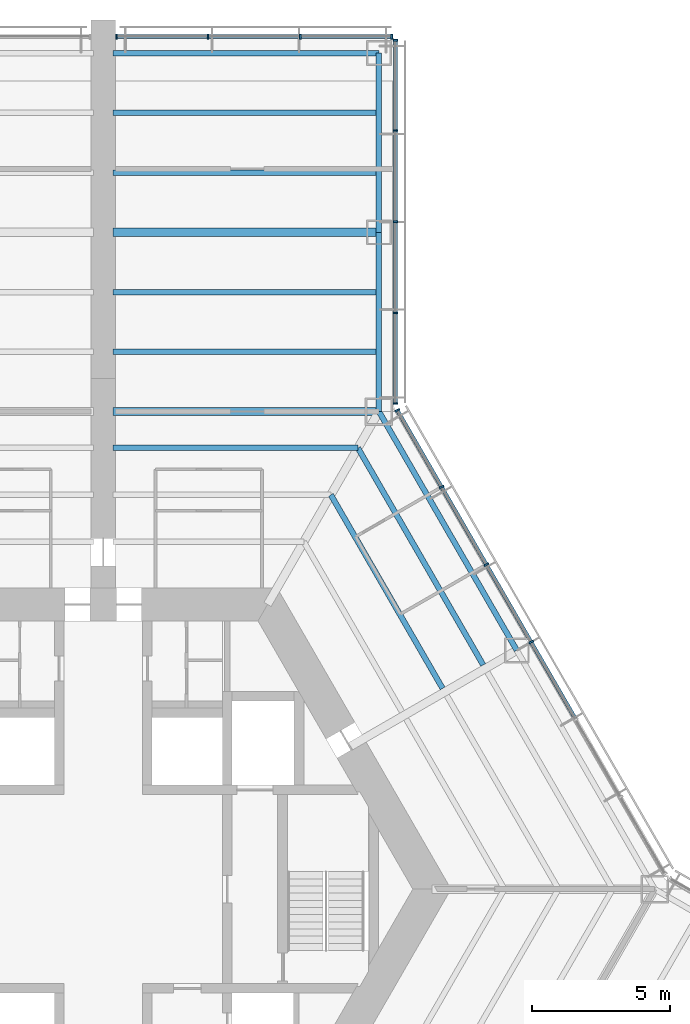
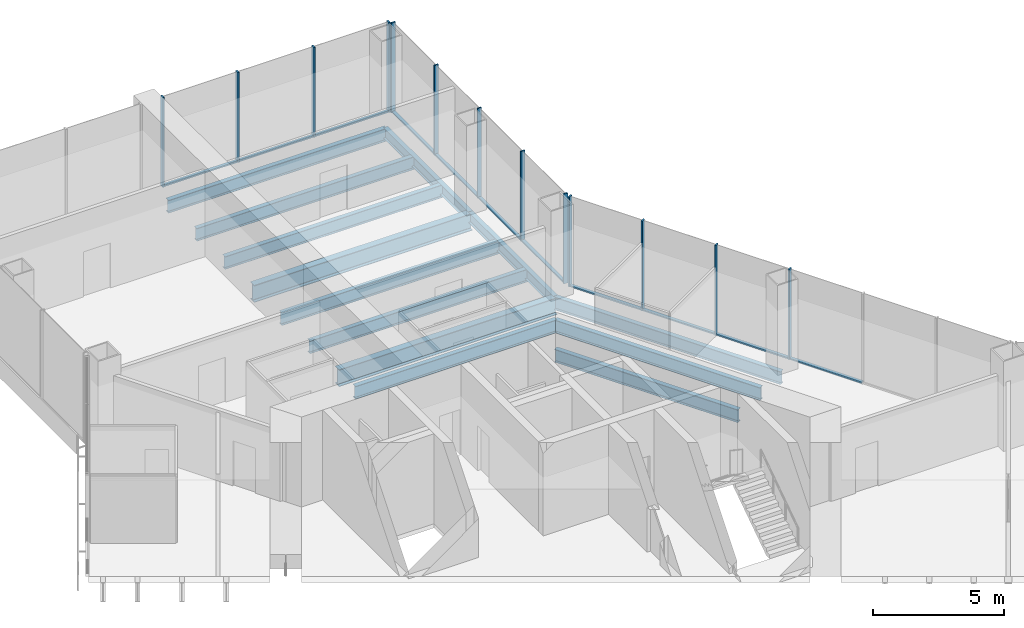
# One storey, part 7 of 16: 24 members, 13 beams, 3 elements without a shape of their own.
"""IFC4 building model written with IfcOpenShell, lengths in metres."""

from ifc_helpers import new_model, si_unit, direction, frame, origin, origin_2d, place, context, subcontext, project, spatial, rectangle, i_section, extrude, material, material_profile, profile_set, type_object, element, aggregate, save


model = new_model("IFC4")

# Units and contexts
model_context = context("Model", 3, precision=1e-05, world=origin(), true_north=direction((0.0, 1.0)))
body_context = subcontext(model_context, "Body", "Model", "MODEL_VIEW")
ifc_project = project(units=[si_unit("LENGTHUNIT", "METRE"), si_unit("AREAUNIT", "SQUARE_METRE"), si_unit("VOLUMEUNIT", "CUBIC_METRE"), si_unit("PLANEANGLEUNIT", "RADIAN"), si_unit("MASSUNIT", "GRAM", prefix="KILO")], contexts=[model_context])

# Site, building, storey
site_placement = place(None, origin())
site = spatial("IfcSite", under=ifc_project, at=site_placement, CompositionType="ELEMENT")
building_placement = place(site_placement, origin())
building = spatial("IfcBuilding", under=site, at=building_placement, Name="Kasaneha Research Tower", CompositionType="ELEMENT")
storey_placement = place(building_placement, frame((0.0, 0.0, 10.0)))
storey = spatial("IfcBuildingStorey", under=building, at=storey_placement, Name="L03", CompositionType="ELEMENT", Elevation=10.0)

# Beams
ifc_material_1 = material(Name="Steel SN490B", Category="steel")
ifc_material_profile_1 = material_profile(ifc_material_1, i_section(OverallWidth=0.199951171875, OverallDepth=0.60009765625, WebThickness=0.010986328125, FlangeThickness=0.01708984375, FilletRadius=0.012939453125, at=origin_2d()), Name="H-600x200x11x17")
ifc_profile_set_1 = profile_set([ifc_material_profile_1], Name="Steel SN490B")
beam_type_1 = type_object("IfcBeamType", Name="B1-1 secondary beam H-600x200x11x17", PredefinedType="JOIST", material=ifc_profile_set_1)
beam_1_placement = place(storey_placement, frame((8.256103515625, 14.300048828125, -0.5), z_axis=(0.499984030215, -0.866034623748, 0.0), x_axis=(0.866034623748, 0.499984030215, 0.0)))
element("IfcBeam", 1, at=beam_1_placement, inside=storey, type_object=beam_type_1, Name="Secondary beam RS030R2 L03", PredefinedType="JOIST", context=body_context, shape_type="SweptSolid", body=[
    extrude(i_section(OverallWidth=0.199951171875, OverallDepth=0.60009765625, WebThickness=0.010986328125, FlangeThickness=0.01708984375, FilletRadius=0.012939453125, at=origin_2d()), origin(), (0.0, 0.0, 1.0), 8.106201171875),
])
beam_2_placement = place(storey_placement, frame((9.237548828125, 16.0, -0.5), z_axis=(0.500010814234, -0.866019160093, 0.0), x_axis=(0.866019160093, 0.500010814234, 0.0)))
element("IfcBeam", 2, at=beam_2_placement, inside=storey, type_object=beam_type_1, Name="Secondary beam RS030R3 L03", PredefinedType="JOIST", context=body_context, shape_type="SweptSolid", body=[
    extrude(i_section(OverallWidth=0.199951171875, OverallDepth=0.60009765625, WebThickness=0.010986328125, FlangeThickness=0.01708984375, FilletRadius=0.012939453125, at=origin_2d()), origin(), (0.0, 0.0, 1.0), 9.087646484375),
])
beam_3_placement = place(storey_placement, frame((9.237548828125, 16.0, -0.5), z_axis=(-1.0, 0.0, 0.0), x_axis=(0.0, -1.0, 0.0)))
element("IfcBeam", 3, at=beam_3_placement, inside=storey, type_object=beam_type_1, Name="Secondary beam RS090L3 L03", PredefinedType="JOIST", context=body_context, shape_type="SweptSolid", body=[
    extrude(i_section(OverallWidth=0.199951171875, OverallDepth=0.60009765625, WebThickness=0.010986328125, FlangeThickness=0.01708984375, FilletRadius=0.012939453125, at=origin_2d()), origin(), (0.0, 0.0, 1.0), 8.887451171875),
])
ifc_material_2 = material(Name="Steel SN490B", Category="steel")
ifc_material_profile_2 = material_profile(ifc_material_2, i_section(OverallWidth=0.198974609375, OverallDepth=0.595947265625, WebThickness=0.010009765625, FlangeThickness=0.014892578125, FilletRadius=0.012939453125, at=origin_2d()), Name="H-596x199x10x15")
ifc_profile_set_2 = profile_set([ifc_material_profile_2], Name="Steel SN490B")
beam_type_2 = type_object("IfcBeamType", Name="B2-1 secondary beam H-596x199x10x15", PredefinedType="JOIST", material=ifc_profile_set_2)
for number, where, z_axis, x_axis, name in (
    (4, (10.0, 19.487060546875, -0.498046875), (-1.0, 0.0, 0.0), (0.0, -1.0, 0.0), "Secondary beam WBAP1 L03"),
    (5, (10.0, 21.65380859375, -0.498046875), (-1.0, 0.0, 0.0), (0.0, -1.0, 0.0), "Secondary beam WBAP2 L03"),
    (6, (10.0, 25.987060546875, -0.498046875), (-1.0, 0.0, 0.0), (0.0, -1.0, 0.0), "Secondary beam WBAP3 L03"),
    (7, (10.0, 28.15380859375, -0.498046875), (-1.0, 0.0, 0.0), (0.0, -1.0, 0.0), "Secondary beam WBAP4 L03"),
):
    element("IfcBeam", number, at=place(storey_placement, frame(where, z_axis=z_axis, x_axis=x_axis)), inside=storey, type_object=beam_type_2, Name=name, PredefinedType="JOIST", context=body_context, shape_type="SweptSolid", body=[
        extrude(i_section(OverallWidth=0.198974609375, OverallDepth=0.595947265625, WebThickness=0.010009765625, FlangeThickness=0.014892578125, FilletRadius=0.012939453125, at=origin_2d()), origin(), (0.0, 0.0, 1.0), 9.64990234375),
    ])

# Curtain wall, members
ifc_material_3 = material(Name="Glass and aluminium", Category="aluminium")
curtain_wall_type = type_object("IfcCurtainWallType", Name="Wet laboratory curtain wall", PredefinedType="USERDEFINED", material=ifc_material_3)
curtain_wall_1_placement = place(storey_placement, origin())
curtain_wall_1 = element("IfcCurtainWall", 8, at=curtain_wall_1_placement, inside=storey, type_object=curtain_wall_type, Name="CW-L1 L03 run 07a", ObjectType="UNITISED CURTAIN WALL", PredefinedType="USERDEFINED")
ifc_material_4 = material(Name="Aluminium 6063-T6", Category="aluminium")
ifc_material_profile_3 = material_profile(ifc_material_4, rectangle(XDim=0.06494140625, YDim=0.179931640625, at=origin_2d()), Name="CW-L1 mullion 65x180")
ifc_profile_set_3 = profile_set([ifc_material_profile_3], Name="Aluminium 6063-T6")
member_type_1 = type_object("IfcMemberType", Name="CW-L1 mullion", PredefinedType="MULLION", material=ifc_profile_set_3)
member_1_placement = place(storey_placement, frame((15.51953125, 8.960205078125, 0.0), z_axis=(0.0, 0.0, 1.0), x_axis=(-0.49999996188, 0.866025425793, 0.0)))
member_1 = element("IfcMember", 9, at=member_1_placement, type_object=member_type_1, Name="CW-L1 mullion 4", PredefinedType="MULLION", context=body_context, shape_type="SweptSolid", body=[
    extrude(rectangle(XDim=0.06494140625, YDim=0.179931640625, at=origin_2d()), origin(), (0.0, 0.0, 1.0), 4.199951171875),
])
member_2_placement = place(storey_placement, frame((13.896484375, 11.771728515625, 0.0), z_axis=(0.0, 0.0, 1.0), x_axis=(-0.49999996188, 0.866025425793, 0.0)))
member_2 = element("IfcMember", 10, at=member_2_placement, type_object=member_type_1, Name="CW-L1 mullion 5", PredefinedType="MULLION", context=body_context, shape_type="SweptSolid", body=[
    extrude(rectangle(XDim=0.06494140625, YDim=0.179931640625, at=origin_2d()), origin(), (0.0, 0.0, 1.0), 4.199951171875),
])
member_3_placement = place(storey_placement, frame((12.273193359375, 14.583251953125, 0.0), z_axis=(0.0, 0.0, 1.0), x_axis=(-0.49999996188, 0.866025425793, 0.0)))
member_3 = element("IfcMember", 11, at=member_3_placement, type_object=member_type_1, Name="CW-L1 mullion 6", PredefinedType="MULLION", context=body_context, shape_type="SweptSolid", body=[
    extrude(rectangle(XDim=0.06494140625, YDim=0.179931640625, at=origin_2d()), origin(), (0.0, 0.0, 1.0), 4.199951171875),
])
member_4_placement = place(storey_placement, frame((10.666259765625, 17.366455078125, 0.0), z_axis=(0.0, 0.0, 1.0), x_axis=(-0.49999996188, 0.866025425793, 0.0)))
member_4 = element("IfcMember", 12, at=member_4_placement, type_object=member_type_1, Name="CW-L1 mullion 7", PredefinedType="MULLION", context=body_context, shape_type="SweptSolid", body=[
    extrude(rectangle(XDim=0.06494140625, YDim=0.179931640625, at=origin_2d()), origin(), (0.0, 0.0, 1.0), 4.199951171875),
])

curtain_wall_2_placement = place(storey_placement, origin())
curtain_wall_2 = element("IfcCurtainWall", 13, at=curtain_wall_2_placement, inside=storey, type_object=curtain_wall_type, Name="CW-L1 L03 run 08a", ObjectType="UNITISED CURTAIN WALL", PredefinedType="USERDEFINED")
member_5_placement = place(storey_placement, frame((10.60009765625, 17.61376953125, 0.0), z_axis=(0.0, 0.0, 1.0), x_axis=(0.0, 1.0, 0.0)))
member_5 = element("IfcMember", 14, at=member_5_placement, type_object=member_type_1, Name="CW-L1 mullion 1", PredefinedType="MULLION", context=body_context, shape_type="SweptSolid", body=[
    extrude(rectangle(XDim=0.06494140625, YDim=0.179931640625, at=origin_2d()), origin(), (0.0, 0.0, 1.0), 4.199951171875),
])
member_6_placement = place(storey_placement, frame((10.60009765625, 20.89111328125, 0.0), z_axis=(0.0, 0.0, 1.0), x_axis=(0.0, 1.0, 0.0)))
member_6 = element("IfcMember", 15, at=member_6_placement, type_object=member_type_1, Name="CW-L1 mullion 2", PredefinedType="MULLION", context=body_context, shape_type="SweptSolid", body=[
    extrude(rectangle(XDim=0.06494140625, YDim=0.179931640625, at=origin_2d()), origin(), (0.0, 0.0, 1.0), 4.199951171875),
])
member_7_placement = place(storey_placement, frame((10.60009765625, 24.200927734375, 0.0), z_axis=(0.0, 0.0, 1.0), x_axis=(0.0, 1.0, 0.0)))
member_7 = element("IfcMember", 16, at=member_7_placement, type_object=member_type_1, Name="CW-L1 mullion 3", PredefinedType="MULLION", context=body_context, shape_type="SweptSolid", body=[
    extrude(rectangle(XDim=0.06494140625, YDim=0.179931640625, at=origin_2d()), origin(), (0.0, 0.0, 1.0), 4.199951171875),
])
member_8_placement = place(storey_placement, frame((10.60009765625, 27.5107421875, 0.0), z_axis=(0.0, 0.0, 1.0), x_axis=(0.0, 1.0, 0.0)))
member_8 = element("IfcMember", 17, at=member_8_placement, type_object=member_type_1, Name="CW-L1 mullion 4", PredefinedType="MULLION", context=body_context, shape_type="SweptSolid", body=[
    extrude(rectangle(XDim=0.06494140625, YDim=0.179931640625, at=origin_2d()), origin(), (0.0, 0.0, 1.0), 4.199951171875),
])
member_9_placement = place(storey_placement, frame((10.60009765625, 30.7880859375, 0.0), z_axis=(0.0, 0.0, 1.0), x_axis=(0.0, 1.0, 0.0)))
member_9 = element("IfcMember", 18, at=member_9_placement, type_object=member_type_1, Name="CW-L1 mullion 5", PredefinedType="MULLION", context=body_context, shape_type="SweptSolid", body=[
    extrude(rectangle(XDim=0.06494140625, YDim=0.179931640625, at=origin_2d()), origin(), (0.0, 0.0, 1.0), 4.199951171875),
])

curtain_wall_3_placement = place(storey_placement, origin())
curtain_wall_3 = element("IfcCurtainWall", 19, at=curtain_wall_3_placement, inside=storey, type_object=curtain_wall_type, Name="CW-L1 L03 run 09a", ObjectType="UNITISED CURTAIN WALL", PredefinedType="USERDEFINED")
member_10_placement = place(storey_placement, frame((10.467529296875, 30.92041015625, 0.0), z_axis=(0.0, 0.0, 1.0), x_axis=(-1.0, 0.0, 0.0)))
member_10 = element("IfcMember", 20, at=member_10_placement, type_object=member_type_1, Name="CW-L1 mullion 1", PredefinedType="MULLION", context=body_context, shape_type="SweptSolid", body=[
    extrude(rectangle(XDim=0.06494140625, YDim=0.179931640625, at=origin_2d()), origin(), (0.0, 0.0, 1.0), 4.199951171875),
])
member_11_placement = place(storey_placement, frame((7.14990234375, 30.92041015625, 0.0), z_axis=(0.0, 0.0, 1.0), x_axis=(-1.0, 0.0, 0.0)))
member_11 = element("IfcMember", 21, at=member_11_placement, type_object=member_type_1, Name="CW-L1 mullion 2", PredefinedType="MULLION", context=body_context, shape_type="SweptSolid", body=[
    extrude(rectangle(XDim=0.06494140625, YDim=0.179931640625, at=origin_2d()), origin(), (0.0, 0.0, 1.0), 4.199951171875),
])
member_12_placement = place(storey_placement, frame((3.800048828125, 30.92041015625, 0.0), z_axis=(0.0, 0.0, 1.0), x_axis=(-1.0, 0.0, 0.0)))
member_12 = element("IfcMember", 22, at=member_12_placement, type_object=member_type_1, Name="CW-L1 mullion 3", PredefinedType="MULLION", context=body_context, shape_type="SweptSolid", body=[
    extrude(rectangle(XDim=0.06494140625, YDim=0.179931640625, at=origin_2d()), origin(), (0.0, 0.0, 1.0), 4.199951171875),
])
member_13_placement = place(storey_placement, frame((0.482421875, 30.92041015625, 0.0), z_axis=(0.0, 0.0, 1.0), x_axis=(-1.0, 0.0, 0.0)))
member_13 = element("IfcMember", 23, at=member_13_placement, type_object=member_type_1, Name="CW-L1 mullion 4", PredefinedType="MULLION", context=body_context, shape_type="SweptSolid", body=[
    extrude(rectangle(XDim=0.06494140625, YDim=0.179931640625, at=origin_2d()), origin(), (0.0, 0.0, 1.0), 4.199951171875),
])

# Member
ifc_material_5 = material(Name="Aluminium 6063-T6", Category="aluminium")
ifc_material_profile_4 = material_profile(ifc_material_5, rectangle(XDim=0.139892578125, YDim=0.06494140625, at=origin_2d()), Name="CW-L1 transom 140x65")
ifc_profile_set_4 = profile_set([ifc_material_profile_4], Name="Aluminium 6063-T6")
member_type_2 = type_object("IfcMemberType", Name="CW-L1 transom", PredefinedType="USERDEFINED", material=ifc_profile_set_4)
member_14_placement = place(storey_placement, frame((17.12646484375, 6.177001953125, 0.032470703125), z_axis=(-0.499977104415, 0.866038622153, 0.0), x_axis=(-0.866038622153, -0.499977104415, 0.0)))
member_14 = element("IfcMember", 24, at=member_14_placement, type_object=member_type_2, Name="CW-L1 transom 3", ObjectType="TRANSOM", PredefinedType="USERDEFINED", context=body_context, shape_type="SweptSolid", body=[
    extrude(rectangle(XDim=0.139892578125, YDim=0.06494140625, at=origin_2d()), origin(), (0.0, 0.0, 1.0), 3.181396484375),
])

member_15_placement = place(storey_placement, frame((15.50341796875, 8.98828125, 0.032470703125), z_axis=(-0.500001430823, 0.866024577697, 0.0), x_axis=(-0.866024577697, -0.500001430823, 0.0)))
member_15 = element("IfcMember", 25, at=member_15_placement, type_object=member_type_2, Name="CW-L1 transom 4", ObjectType="TRANSOM", PredefinedType="USERDEFINED", context=body_context, shape_type="SweptSolid", body=[
    extrude(rectangle(XDim=0.139892578125, YDim=0.06494140625, at=origin_2d()), origin(), (0.0, 0.0, 1.0), 3.181640625),
])

member_16_placement = place(storey_placement, frame((13.880126953125, 11.7998046875, 0.032470703125), z_axis=(-0.499943876812, 0.866057804098, 0.0), x_axis=(-0.866057804098, -0.499943876812, 0.0)))
member_16 = element("IfcMember", 26, at=member_16_placement, type_object=member_type_2, Name="CW-L1 transom 5", ObjectType="TRANSOM", PredefinedType="USERDEFINED", context=body_context, shape_type="SweptSolid", body=[
    extrude(rectangle(XDim=0.139892578125, YDim=0.06494140625, at=origin_2d()), origin(), (0.0, 0.0, 1.0), 3.181396484375),
])

member_17_placement = place(storey_placement, frame((12.2568359375, 14.611328125, 0.032470703125), z_axis=(-0.499941702305, 0.866059059358, 0.0), x_axis=(-0.866059059358, -0.499941702305, 0.0)))
member_17 = element("IfcMember", 27, at=member_17_placement, type_object=member_type_2, Name="CW-L1 transom 6", ObjectType="TRANSOM", PredefinedType="USERDEFINED", context=body_context, shape_type="SweptSolid", body=[
    extrude(rectangle(XDim=0.139892578125, YDim=0.06494140625, at=origin_2d()), origin(), (0.0, 0.0, 1.0), 3.14892578125),
])

aggregate(curtain_wall_1, [member_1, member_2, member_3, member_4, member_14, member_15, member_16, member_17])

member_18_placement = place(storey_placement, frame((10.60009765625, 17.646240234375, 0.032470703125), z_axis=(0.0, 1.0, 0.0), x_axis=(-1.0, 0.0, 0.0)))
member_18 = element("IfcMember", 28, at=member_18_placement, type_object=member_type_2, Name="CW-L1 transom 1", ObjectType="TRANSOM", PredefinedType="USERDEFINED", context=body_context, shape_type="SweptSolid", body=[
    extrude(rectangle(XDim=0.139892578125, YDim=0.06494140625, at=origin_2d()), origin(), (0.0, 0.0, 1.0), 3.21240234375),
])

member_19_placement = place(storey_placement, frame((10.60009765625, 20.923583984375, 0.032470703125), z_axis=(0.0, 1.0, 0.0), x_axis=(-1.0, 0.0, 0.0)))
member_19 = element("IfcMember", 29, at=member_19_placement, type_object=member_type_2, Name="CW-L1 transom 2", ObjectType="TRANSOM", PredefinedType="USERDEFINED", context=body_context, shape_type="SweptSolid", body=[
    extrude(rectangle(XDim=0.139892578125, YDim=0.06494140625, at=origin_2d()), origin(), (0.0, 0.0, 1.0), 3.244873046875),
])

member_20_placement = place(storey_placement, frame((10.60009765625, 24.2333984375, 0.032470703125), z_axis=(0.0, 1.0, 0.0), x_axis=(-1.0, 0.0, 0.0)))
member_20 = element("IfcMember", 30, at=member_20_placement, type_object=member_type_2, Name="CW-L1 transom 3", ObjectType="TRANSOM", PredefinedType="USERDEFINED", context=body_context, shape_type="SweptSolid", body=[
    extrude(rectangle(XDim=0.139892578125, YDim=0.06494140625, at=origin_2d()), origin(), (0.0, 0.0, 1.0), 3.244873046875),
])

member_21_placement = place(storey_placement, frame((10.60009765625, 27.543212890625, 0.032470703125), z_axis=(0.0, 1.0, 0.0), x_axis=(-1.0, 0.0, 0.0)))
member_21 = element("IfcMember", 31, at=member_21_placement, type_object=member_type_2, Name="CW-L1 transom 4", ObjectType="TRANSOM", PredefinedType="USERDEFINED", context=body_context, shape_type="SweptSolid", body=[
    extrude(rectangle(XDim=0.139892578125, YDim=0.06494140625, at=origin_2d()), origin(), (0.0, 0.0, 1.0), 3.21240234375),
])

aggregate(curtain_wall_2, [member_5, member_6, member_7, member_8, member_9, member_18, member_19, member_20, member_21])

member_22_placement = place(storey_placement, frame((10.43505859375, 30.92041015625, 0.032470703125), z_axis=(-1.0, 0.0, 0.0), x_axis=(0.0, -1.0, 0.0)))
member_22 = element("IfcMember", 32, at=member_22_placement, type_object=member_type_2, Name="CW-L1 transom 1", ObjectType="TRANSOM", PredefinedType="USERDEFINED", context=body_context, shape_type="SweptSolid", body=[
    extrude(rectangle(XDim=0.139892578125, YDim=0.06494140625, at=origin_2d()), origin(), (0.0, 0.0, 1.0), 3.25244140625),
])

member_23_placement = place(storey_placement, frame((7.117431640625, 30.92041015625, 0.032470703125), z_axis=(-1.0, 0.0, 0.0), x_axis=(0.0, -1.0, 0.0)))
member_23 = element("IfcMember", 33, at=member_23_placement, type_object=member_type_2, Name="CW-L1 transom 2", ObjectType="TRANSOM", PredefinedType="USERDEFINED", context=body_context, shape_type="SweptSolid", body=[
    extrude(rectangle(XDim=0.139892578125, YDim=0.06494140625, at=origin_2d()), origin(), (0.0, 0.0, 1.0), 3.284912109375),
])

member_24_placement = place(storey_placement, frame((3.767578125, 30.92041015625, 0.032470703125), z_axis=(-1.0, 0.0, 0.0), x_axis=(0.0, -1.0, 0.0)))
member_24 = element("IfcMember", 34, at=member_24_placement, type_object=member_type_2, Name="CW-L1 transom 3", ObjectType="TRANSOM", PredefinedType="USERDEFINED", context=body_context, shape_type="SweptSolid", body=[
    extrude(rectangle(XDim=0.139892578125, YDim=0.06494140625, at=origin_2d()), origin(), (0.0, 0.0, 1.0), 3.252685546875),
])

aggregate(curtain_wall_3, [member_10, member_11, member_12, member_13, member_22, member_23, member_24])

# Beams
ifc_material_6 = material(Name="Steel SN490B", Category="steel")
ifc_material_profile_5 = material_profile(ifc_material_6, i_section(OverallWidth=0.300048828125, OverallDepth=0.7919921875, WebThickness=0.013916015625, FlangeThickness=0.02197265625, FilletRadius=0.01806640625, at=origin_2d()), Name="H-792x300x14x22")
ifc_profile_set_5 = profile_set([ifc_material_profile_5], Name="Steel SN490B")
beam_type_3 = type_object("IfcBeamType", Name="G3-1 plate edge girder H-792x300x14x22", PredefinedType="BEAM", material=ifc_profile_set_5)
beam_4_placement = place(storey_placement, frame((10.0, 17.320556640625, -0.595947265625), z_axis=(-1.0, 0.0, 0.0), x_axis=(0.0, -1.0, 0.0)))
element("IfcBeam", 35, at=beam_4_placement, inside=storey, type_object=beam_type_3, Name="Plate edge girder PEAP L03", PredefinedType="BEAM", context=body_context, shape_type="SweptSolid", body=[
    extrude(i_section(OverallWidth=0.300048828125, OverallDepth=0.7919921875, WebThickness=0.013916015625, FlangeThickness=0.02197265625, FilletRadius=0.01806640625, at=origin_2d()), origin(), (0.0, 0.0, 1.0), 9.64990234375),
])
ifc_material_7 = material(Name="Steel SN490B", Category="steel")
ifc_material_profile_6 = material_profile(ifc_material_7, i_section(OverallWidth=0.300048828125, OverallDepth=0.800048828125, WebThickness=0.013916015625, FlangeThickness=0.02587890625, FilletRadius=0.01806640625, at=origin_2d()), Name="H-800x300x14x26")
ifc_profile_set_6 = profile_set([ifc_material_profile_6], Name="Steel SN490B")
beam_type_4 = type_object("IfcBeamType", Name="G4-1 wing girder H-800x300x14x26", PredefinedType="BEAM", material=ifc_profile_set_6)
beam_5_placement = place(storey_placement, frame((10.0, 23.820556640625, -0.60009765625), z_axis=(-1.0, 0.0, 0.0), x_axis=(0.0, -1.0, 0.0)))
element("IfcBeam", 36, at=beam_5_placement, inside=storey, type_object=beam_type_4, Name="Wing girder WGAP L03", PredefinedType="BEAM", context=body_context, shape_type="SweptSolid", body=[
    extrude(i_section(OverallWidth=0.300048828125, OverallDepth=0.800048828125, WebThickness=0.013916015625, FlangeThickness=0.02587890625, FilletRadius=0.01806640625, at=origin_2d()), origin(), (0.0, 0.0, 1.0), 9.64990234375),
])
ifc_material_8 = material(Name="Steel SN490B", Category="steel")
ifc_material_profile_7 = material_profile(ifc_material_8, i_section(OverallWidth=0.199951171875, OverallDepth=0.60009765625, WebThickness=0.010986328125, FlangeThickness=0.01708984375, FilletRadius=0.012939453125, at=origin_2d()), Name="H-600x200x11x17")
ifc_profile_set_7 = profile_set([ifc_material_profile_7], Name="Steel SN490B")
beam_type_5 = type_object("IfcBeamType", Name="SB1-1 spandrel beam H-600x200x11x17", PredefinedType="SPANDREL", material=ifc_profile_set_7)
beam_6_placement = place(storey_placement, frame((10.0, 17.320556640625, -0.5), z_axis=(0.499993662806, -0.866029062534, 0.0), x_axis=(0.866029062534, 0.499993662806, 0.0)))
element("IfcBeam", 37, at=beam_6_placement, inside=storey, type_object=beam_type_5, Name="Spandrel beam SR030R L03", PredefinedType="SPANDREL", context=body_context, shape_type="SweptSolid", body=[
    extrude(i_section(OverallWidth=0.199951171875, OverallDepth=0.60009765625, WebThickness=0.010986328125, FlangeThickness=0.01708984375, FilletRadius=0.012939453125, at=origin_2d()), origin(), (0.0, 0.0, 1.0), 10.000244140625),
])
ifc_material_9 = material(Name="Steel SN490B", Category="steel")
ifc_material_profile_8 = material_profile(ifc_material_9, i_section(OverallWidth=0.199951171875, OverallDepth=0.5, WebThickness=0.010009765625, FlangeThickness=0.01611328125, FilletRadius=0.012939453125, at=origin_2d()), Name="H-500x200x10x16")
ifc_profile_set_8 = profile_set([ifc_material_profile_8], Name="Steel SN490B")
beam_type_6 = type_object("IfcBeamType", Name="SB2-1 spandrel beam H-500x200x10x16", PredefinedType="SPANDREL", material=ifc_profile_set_8)
for number, where, z_axis, x_axis, name in (
    (38, (10.0, 17.320556640625, -0.449951171875), (0.0, 1.0, 0.0), (-1.0, 0.0, 0.0), "Spandrel beam WSAP1 L03"),
    (39, (10.0, 23.820556640625, -0.449951171875), (0.0, 1.0, 0.0), (-1.0, 0.0, 0.0), "Spandrel beam WSAP2 L03"),
):
    element("IfcBeam", number, at=place(storey_placement, frame(where, z_axis=z_axis, x_axis=x_axis)), inside=storey, type_object=beam_type_6, Name=name, PredefinedType="SPANDREL", context=body_context, shape_type="SweptSolid", body=[
        extrude(i_section(OverallWidth=0.199951171875, OverallDepth=0.5, WebThickness=0.010009765625, FlangeThickness=0.01611328125, FilletRadius=0.012939453125, at=origin_2d()), origin(), (0.0, 0.0, 1.0), 6.5),
    ])
ifc_material_10 = material(Name="Steel SN490B", Category="steel")
ifc_material_profile_9 = material_profile(ifc_material_10, i_section(OverallWidth=0.199951171875, OverallDepth=0.60009765625, WebThickness=0.010986328125, FlangeThickness=0.01708984375, FilletRadius=0.012939453125, at=origin_2d()), Name="H-600x200x11x17")
ifc_profile_set_9 = profile_set([ifc_material_profile_9], Name="Steel SN490B")
beam_type_7 = type_object("IfcBeamType", Name="SB3-1 spandrel beam H-600x200x11x17", PredefinedType="SPANDREL", material=ifc_profile_set_9)
beam_7_placement = place(storey_placement, frame((10.0, 30.320556640625, -0.5), z_axis=(-1.0, 0.0, 0.0), x_axis=(0.0, -1.0, 0.0)))
element("IfcBeam", 40, at=beam_7_placement, inside=storey, type_object=beam_type_7, Name="Spandrel beam WTAP L03", PredefinedType="SPANDREL", context=body_context, shape_type="SweptSolid", body=[
    extrude(i_section(OverallWidth=0.199951171875, OverallDepth=0.60009765625, WebThickness=0.010986328125, FlangeThickness=0.01708984375, FilletRadius=0.012939453125, at=origin_2d()), origin(), (0.0, 0.0, 1.0), 9.64990234375),
])

save(model, "model.ifc")
